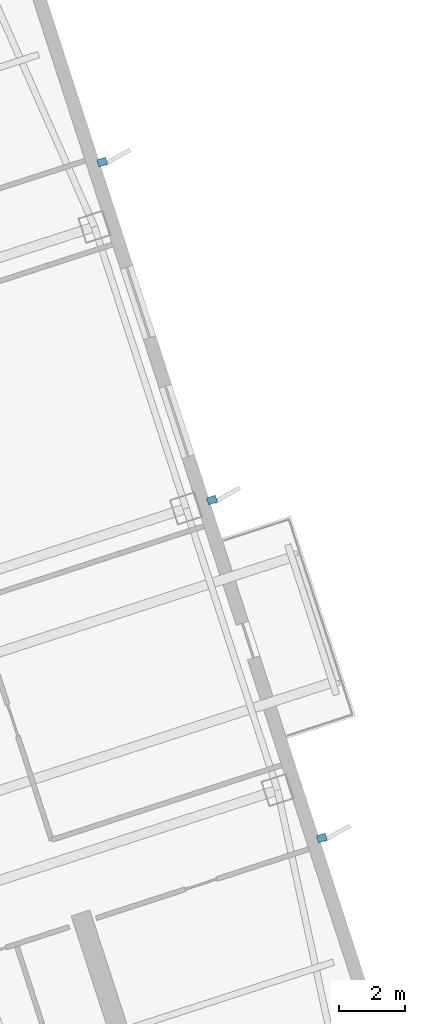
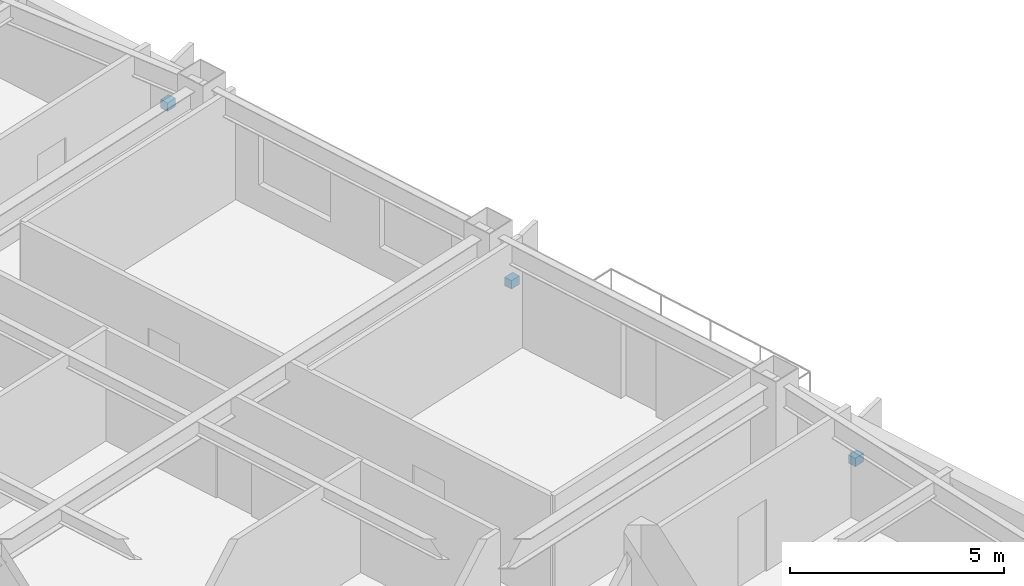
# One storey, part 13 of 18: 3 discrete accessories.
"""IFC4 building model written with IfcOpenShell, lengths in metres."""

from ifc_helpers import new_model, si_unit, direction, frame, origin, origin_2d, place, context, subcontext, project, spatial, rectangle, extrude, material, type_object, element, save


model = new_model("IFC4")

# Units and contexts
model_context = context("Model", 3, precision=1e-05, world=origin(), true_north=direction((0.0, 1.0)))
body_context = subcontext(model_context, "Body", "Model", "MODEL_VIEW")
ifc_project = project(units=[si_unit("LENGTHUNIT", "METRE"), si_unit("AREAUNIT", "SQUARE_METRE"), si_unit("VOLUMEUNIT", "CUBIC_METRE"), si_unit("PLANEANGLEUNIT", "RADIAN"), si_unit("MASSUNIT", "GRAM", prefix="KILO")], contexts=[model_context])

# Site, building, storey
site_placement = place(None, origin())
site = spatial("IfcSite", under=ifc_project, at=site_placement, CompositionType="ELEMENT")
building_placement = place(site_placement, origin())
building = spatial("IfcBuilding", under=site, at=building_placement, Name="Qiaolan Cultural Towers", CompositionType="ELEMENT")
storey_placement = place(building_placement, frame((0.0, 0.0, 173.64990234375)))
storey = spatial("IfcBuildingStorey", under=building, at=storey_placement, Name="L46", CompositionType="ELEMENT", Elevation=173.64990234375)

# Discrete accessories
ifc_material = material(Name="Stainless Steel S31608 Facade Anchor Bracket", Category="steel")
discrete_accessory_type = type_object("IfcDiscreteAccessoryType", Name="ACC-BRK-SS", PredefinedType="BRACKET", material=ifc_material)
for number, where, z_axis, x_axis, name in (
    (1, (108.440185546875, 28.6357421875, 1.18505859375), (0.0, 0.0, 1.0), (0.951056516295, 0.309016994375, 0.0), "L46 T2 Facade Fin Anchor Bracket E1"),
    (2, (105.102783203125, 38.9072265625, 1.18505859375), (0.0, 0.0, 1.0), (0.951056516295, 0.309016994375, 0.0), "L46 T2 Facade Fin Anchor Bracket E2"),
    (3, (101.765380859375, 49.1787109375, 1.18505859375), (0.0, 0.0, 1.0), (0.951056516295, 0.309016994375, 0.0), "L46 T2 Facade Fin Anchor Bracket E3"),
):
    element("IfcDiscreteAccessory", number, at=place(storey_placement, frame(where, z_axis=z_axis, x_axis=x_axis)), inside=storey, type_object=discrete_accessory_type, Name=name, PredefinedType="BRACKET", context=body_context, shape_type="SweptSolid", body=[
        extrude(rectangle(XDim=0.280029296875, YDim=0.219970703125, at=origin_2d()), origin(), (0.0, 0.0, 1.0), 0.239990234375),
    ])

save(model, "model.ifc")
